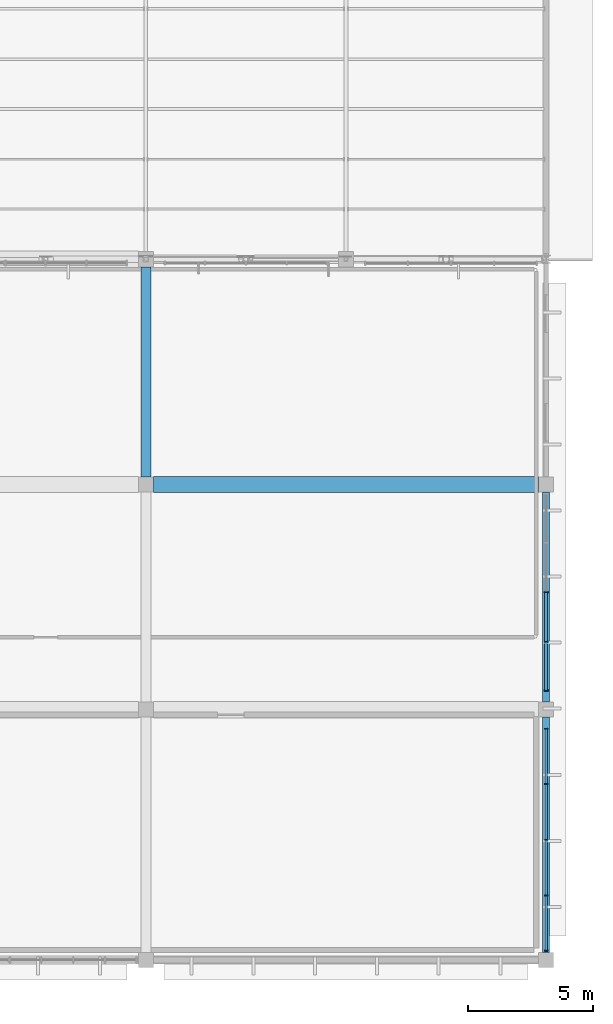
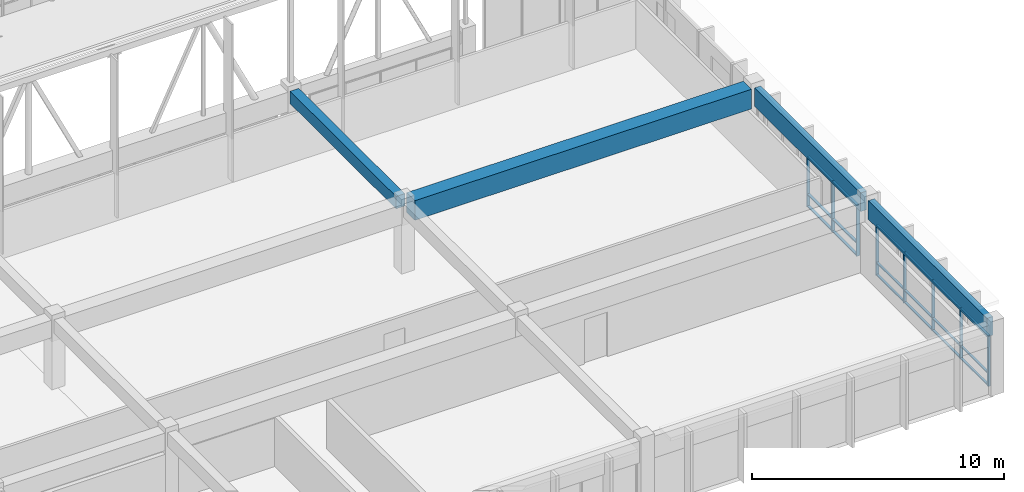
# One storey, part 33 of 155: 26 members, 4 beams, 2 elements without a shape of their own.
"""IFC4 building model written with IfcOpenShell, lengths in metres."""

from ifc_helpers import new_model, si_unit, direction, frame, origin, origin_2d, place, context, subcontext, project, spatial, rectangle, extrude, material, material_profile, profile_set, type_object, element, aggregate, save


model = new_model("IFC4")

# Units and contexts
model_context = context("Model", 3, precision=1e-05, world=origin(), true_north=direction((0.0, 1.0)))
body_context = subcontext(model_context, "Body", "Model", "MODEL_VIEW")
ifc_project = project(units=[si_unit("LENGTHUNIT", "METRE"), si_unit("AREAUNIT", "SQUARE_METRE"), si_unit("VOLUMEUNIT", "CUBIC_METRE"), si_unit("PLANEANGLEUNIT", "RADIAN"), si_unit("MASSUNIT", "GRAM", prefix="KILO")], contexts=[model_context])

# Site, building, storey
site_placement = place(None, origin())
site = spatial("IfcSite", under=ifc_project, at=site_placement, CompositionType="ELEMENT")
building_placement = place(site_placement, origin())
building = spatial("IfcBuilding", under=site, at=building_placement, Name="Larkveld Mobility Hub", CompositionType="ELEMENT")
storey_placement = place(building_placement, frame((0.0, 0.0, 8.39990234375)))
storey = spatial("IfcBuildingStorey", under=building, at=storey_placement, Name="L02", CompositionType="ELEMENT", Elevation=8.39990234375)

# Beams
ifc_material_1 = material(Name="Precast concrete C50/60", Category="concrete")
ifc_material_profile_1 = material_profile(ifc_material_1, rectangle(XDim=0.64990234375, YDim=0.949951171875, at=origin_2d()), Name="PC ITB 650x950")
ifc_profile_set_1 = profile_set([ifc_material_profile_1], Name="Precast concrete C50/60")
beam_type_1 = type_object("IfcBeamType", Name="BM-ITB6595", PredefinedType="T_BEAM", material=ifc_profile_set_1)
beam_1_placement = place(storey_placement, frame((168.300048828125, 19.0, 2.885009765625), z_axis=(1.0, 0.0, 0.0), x_axis=(0.0, 1.0, 0.0)))
element("IfcBeam", 1, at=beam_1_placement, inside=storey, type_object=beam_type_1, Name="Primary E-W Girder L02-0504", PredefinedType="T_BEAM", context=body_context, shape_type="SweptSolid", body=[
    extrude(rectangle(XDim=0.64990234375, YDim=0.949951171875, at=origin_2d()), origin(), (0.0, 0.0, 1.0), 15.39990234375),
])
ifc_material_2 = material(Name="Concrete C40/50", Category="concrete")
ifc_material_profile_2 = material_profile(ifc_material_2, rectangle(XDim=0.39990234375, YDim=0.60009765625, at=origin_2d()), Name="RC BM 400x600")
ifc_profile_set_2 = profile_set([ifc_material_profile_2], Name="Concrete C40/50")
beam_type_2 = type_object("IfcBeamType", Name="BM-RC4060", PredefinedType="BEAM", material=ifc_profile_set_2)
beam_2_placement = place(storey_placement, frame((168.0, 19.300048828125, 3.06005859375), z_axis=(0.0, 1.0, 0.0), x_axis=(-1.0, 0.0, 0.0)))
element("IfcBeam", 2, at=beam_2_placement, inside=storey, type_object=beam_type_2, Name="Primary N-S Girder L02-0689", PredefinedType="BEAM", context=body_context, shape_type="SweptSolid", body=[
    extrude(rectangle(XDim=0.39990234375, YDim=0.60009765625, at=origin_2d()), origin(), (0.0, 0.0, 1.0), 8.39990234375),
])
ifc_material_profile_3 = material_profile(ifc_material_1, rectangle(XDim=0.280029296875, YDim=0.89990234375, at=origin_2d()), Name="PC SP 280x900")
ifc_profile_set_3 = profile_set([ifc_material_profile_3], Name="Precast concrete C50/60")
beam_type_3 = type_object("IfcBeamType", Name="BM-SP2890", PredefinedType="SPANDREL", material=ifc_profile_set_3)
beam_3_placement = place(storey_placement, frame((184.0, 0.300048828125, 2.91015625), z_axis=(0.0, 1.0, 0.0), x_axis=(-1.0, 0.0, 0.0)))
element("IfcBeam", 3, at=beam_3_placement, inside=storey, type_object=beam_type_3, Name="Primary N-S Girder L02-0690", PredefinedType="SPANDREL", context=body_context, shape_type="SweptSolid", body=[
    extrude(rectangle(XDim=0.280029296875, YDim=0.89990234375, at=origin_2d()), origin(), (0.0, 0.0, 1.0), 9.39990234375),
])
beam_4_placement = place(storey_placement, frame((184.0, 10.300048828125, 2.91015625), z_axis=(0.0, 1.0, 0.0), x_axis=(-1.0, 0.0, 0.0)))
element("IfcBeam", 4, at=beam_4_placement, inside=storey, type_object=beam_type_3, Name="Primary N-S Girder L02-0691", PredefinedType="SPANDREL", context=body_context, shape_type="SweptSolid", body=[
    extrude(rectangle(XDim=0.280029296875, YDim=0.89990234375, at=origin_2d()), origin(), (0.0, 0.0, 1.0), 8.39990234375),
])

# Curtain wall, members
ifc_material_3 = material(Name="Anodised aluminium 6063-T6", Category="aluminium")
curtain_wall_type_1 = type_object("IfcCurtainWallType", Name="CW-SYS-01", PredefinedType="NOTDEFINED", material=ifc_material_3)
curtain_wall_1_placement = place(storey_placement, origin())
curtain_wall_1 = element("IfcCurtainWall", 5, at=curtain_wall_1_placement, inside=storey, type_object=curtain_wall_type_1, Name="Service Wing East Curtain Wall L02 CW-109", PredefinedType="NOTDEFINED")
ifc_material_profile_4 = material_profile(ifc_material_3, rectangle(XDim=0.050048828125, YDim=0.14990234375, at=origin_2d()), Name="ALU MULL 50x150")
ifc_profile_set_4 = profile_set([ifc_material_profile_4], Name="Anodised aluminium 6063-T6")
member_type_1 = type_object("IfcMemberType", Name="CW-MUL-01", PredefinedType="MULLION", material=ifc_profile_set_4)
member_1_placement = place(storey_placement, frame((184.0, 10.764892578125, -0.001953125), z_axis=(0.0, 0.0, 1.0), x_axis=(0.0, 1.0, 0.0)))
member_1 = element("IfcMember", 6, at=member_1_placement, type_object=member_type_1, Name="CW01 mullion 1", PredefinedType="MULLION", context=body_context, shape_type="SweptSolid", body=[
    extrude(rectangle(XDim=0.050048828125, YDim=0.14990234375, at=origin_2d()), origin(), (0.0, 0.0, 1.0), 2.462158203125),
])
member_2_placement = place(storey_placement, frame((184.0, 12.718017578125, -0.001953125), z_axis=(0.0, 0.0, 1.0), x_axis=(0.0, 1.0, 0.0)))
member_2 = element("IfcMember", 7, at=member_2_placement, type_object=member_type_1, Name="CW01 mullion 2", PredefinedType="MULLION", context=body_context, shape_type="SweptSolid", body=[
    extrude(rectangle(XDim=0.050048828125, YDim=0.14990234375, at=origin_2d()), origin(), (0.0, 0.0, 1.0), 2.462158203125),
])
member_3_placement = place(storey_placement, frame((184.0, 14.695068359375, -0.001953125), z_axis=(0.0, 0.0, 1.0), x_axis=(0.0, 1.0, 0.0)))
member_3 = element("IfcMember", 8, at=member_3_placement, type_object=member_type_1, Name="CW01 mullion 3", PredefinedType="MULLION", context=body_context, shape_type="SweptSolid", body=[
    extrude(rectangle(XDim=0.050048828125, YDim=0.14990234375, at=origin_2d()), origin(), (0.0, 0.0, 1.0), 2.462158203125),
])

curtain_wall_type_2 = type_object("IfcCurtainWallType", Name="CW-SYS-12", PredefinedType="NOTDEFINED", material=ifc_material_3)
curtain_wall_2_placement = place(storey_placement, origin())
curtain_wall_2 = element("IfcCurtainWall", 9, at=curtain_wall_2_placement, inside=storey, type_object=curtain_wall_type_2, Name="Service Wing East Curtain Wall L02 CW-108", PredefinedType="NOTDEFINED")
ifc_material_profile_5 = material_profile(ifc_material_3, rectangle(XDim=0.050048828125, YDim=0.1298828125, at=origin_2d()), Name="ALU MULL 50x130")
ifc_profile_set_5 = profile_set([ifc_material_profile_5], Name="Anodised aluminium 6063-T6")
member_type_2 = type_object("IfcMemberType", Name="CW-MUL-04", PredefinedType="MULLION", material=ifc_profile_set_5)
member_4_placement = place(storey_placement, frame((184.0, 0.375, -0.001953125), z_axis=(0.0, 0.0, 1.0), x_axis=(0.0, 1.0, 0.0)))
member_4 = element("IfcMember", 10, at=member_4_placement, type_object=member_type_2, Name="CW12 mullion 1", PredefinedType="MULLION", context=body_context, shape_type="SweptSolid", body=[
    extrude(rectangle(XDim=0.050048828125, YDim=0.1298828125, at=origin_2d()), origin(), (0.0, 0.0, 1.0), 2.462158203125),
])
member_5_placement = place(storey_placement, frame((184.0, 2.577880859375, -0.001953125), z_axis=(0.0, 0.0, 1.0), x_axis=(0.0, 1.0, 0.0)))
member_5 = element("IfcMember", 11, at=member_5_placement, type_object=member_type_2, Name="CW12 mullion 2", PredefinedType="MULLION", context=body_context, shape_type="SweptSolid", body=[
    extrude(rectangle(XDim=0.050048828125, YDim=0.1298828125, at=origin_2d()), origin(), (0.0, 0.0, 1.0), 2.462158203125),
])
member_6_placement = place(storey_placement, frame((184.0, 4.804931640625, -0.001953125), z_axis=(0.0, 0.0, 1.0), x_axis=(0.0, 1.0, 0.0)))
member_6 = element("IfcMember", 12, at=member_6_placement, type_object=member_type_2, Name="CW12 mullion 3", PredefinedType="MULLION", context=body_context, shape_type="SweptSolid", body=[
    extrude(rectangle(XDim=0.050048828125, YDim=0.1298828125, at=origin_2d()), origin(), (0.0, 0.0, 1.0), 2.462158203125),
])
member_7_placement = place(storey_placement, frame((184.0, 7.031982421875, -0.001953125), z_axis=(0.0, 0.0, 1.0), x_axis=(0.0, 1.0, 0.0)))
member_7 = element("IfcMember", 13, at=member_7_placement, type_object=member_type_2, Name="CW12 mullion 4", PredefinedType="MULLION", context=body_context, shape_type="SweptSolid", body=[
    extrude(rectangle(XDim=0.050048828125, YDim=0.1298828125, at=origin_2d()), origin(), (0.0, 0.0, 1.0), 2.462158203125),
])
member_8_placement = place(storey_placement, frame((184.0, 9.235107421875, -0.001953125), z_axis=(0.0, 0.0, 1.0), x_axis=(0.0, 1.0, 0.0)))
member_8 = element("IfcMember", 14, at=member_8_placement, type_object=member_type_2, Name="CW12 mullion 5", PredefinedType="MULLION", context=body_context, shape_type="SweptSolid", body=[
    extrude(rectangle(XDim=0.050048828125, YDim=0.1298828125, at=origin_2d()), origin(), (0.0, 0.0, 1.0), 2.462158203125),
])

# Member
ifc_material_profile_6 = material_profile(ifc_material_3, rectangle(XDim=0.1201171875, YDim=0.050048828125, at=origin_2d()), Name="ALU TRAN 50x120")
ifc_profile_set_6 = profile_set([ifc_material_profile_6], Name="Anodised aluminium 6063-T6")
member_type_3 = type_object("IfcMemberType", Name="CW-TRN-01", PredefinedType="USERDEFINED", material=ifc_profile_set_6)
member_9_placement = place(storey_placement, frame((184.0, 10.77490234375, 0.030029296875), z_axis=(0.0, 1.0, 0.0), x_axis=(-1.0, 0.0, 0.0)))
member_9 = element("IfcMember", 15, at=member_9_placement, type_object=member_type_3, Name="CW01 transom 1.1", ObjectType="TRANSOM", PredefinedType="USERDEFINED", context=body_context, shape_type="SweptSolid", body=[
    extrude(rectangle(XDim=0.1201171875, YDim=0.050048828125, at=origin_2d()), origin(), (0.0, 0.0, 1.0), 1.927978515625),
])

member_10_placement = place(storey_placement, frame((184.0, 10.77490234375, 0.614013671875), z_axis=(0.0, 1.0, 0.0), x_axis=(-1.0, 0.0, 0.0)))
member_10 = element("IfcMember", 16, at=member_10_placement, type_object=member_type_3, Name="CW01 transom 1.2", ObjectType="TRANSOM", PredefinedType="USERDEFINED", context=body_context, shape_type="SweptSolid", body=[
    extrude(rectangle(XDim=0.1201171875, YDim=0.050048828125, at=origin_2d()), origin(), (0.0, 0.0, 1.0), 1.927978515625),
])

member_11_placement = place(storey_placement, frame((184.0, 10.77490234375, 2.427978515625), z_axis=(0.0, 1.0, 0.0), x_axis=(-1.0, 0.0, 0.0)))
member_11 = element("IfcMember", 17, at=member_11_placement, type_object=member_type_3, Name="CW01 transom 1.3", ObjectType="TRANSOM", PredefinedType="USERDEFINED", context=body_context, shape_type="SweptSolid", body=[
    extrude(rectangle(XDim=0.1201171875, YDim=0.050048828125, at=origin_2d()), origin(), (0.0, 0.0, 1.0), 1.927978515625),
])

member_12_placement = place(storey_placement, frame((184.0, 12.73193359375, 0.030029296875), z_axis=(0.0, 1.0, 0.0), x_axis=(-1.0, 0.0, 0.0)))
member_12 = element("IfcMember", 18, at=member_12_placement, type_object=member_type_3, Name="CW01 transom 2.1", ObjectType="TRANSOM", PredefinedType="USERDEFINED", context=body_context, shape_type="SweptSolid", body=[
    extrude(rectangle(XDim=0.1201171875, YDim=0.050048828125, at=origin_2d()), origin(), (0.0, 0.0, 1.0), 1.947998046875),
])

member_13_placement = place(storey_placement, frame((184.0, 12.73193359375, 0.614013671875), z_axis=(0.0, 1.0, 0.0), x_axis=(-1.0, 0.0, 0.0)))
member_13 = element("IfcMember", 19, at=member_13_placement, type_object=member_type_3, Name="CW01 transom 2.2", ObjectType="TRANSOM", PredefinedType="USERDEFINED", context=body_context, shape_type="SweptSolid", body=[
    extrude(rectangle(XDim=0.1201171875, YDim=0.050048828125, at=origin_2d()), origin(), (0.0, 0.0, 1.0), 1.947998046875),
])

member_14_placement = place(storey_placement, frame((184.0, 12.73193359375, 2.427978515625), z_axis=(0.0, 1.0, 0.0), x_axis=(-1.0, 0.0, 0.0)))
member_14 = element("IfcMember", 20, at=member_14_placement, type_object=member_type_3, Name="CW01 transom 2.3", ObjectType="TRANSOM", PredefinedType="USERDEFINED", context=body_context, shape_type="SweptSolid", body=[
    extrude(rectangle(XDim=0.1201171875, YDim=0.050048828125, at=origin_2d()), origin(), (0.0, 0.0, 1.0), 1.947998046875),
])

aggregate(curtain_wall_1, [member_1, member_2, member_3, member_9, member_10, member_11, member_12, member_13, member_14])

ifc_material_profile_7 = material_profile(ifc_material_3, rectangle(XDim=0.10009765625, YDim=0.050048828125, at=origin_2d()), Name="ALU TRAN 50x100")
ifc_profile_set_7 = profile_set([ifc_material_profile_7], Name="Anodised aluminium 6063-T6")
member_type_4 = type_object("IfcMemberType", Name="CW-TRN-04", PredefinedType="USERDEFINED", material=ifc_profile_set_7)
member_15_placement = place(storey_placement, frame((184.0, 0.385009765625, 0.030029296875), z_axis=(0.0, 1.0, 0.0), x_axis=(-1.0, 0.0, 0.0)))
member_15 = element("IfcMember", 21, at=member_15_placement, type_object=member_type_4, Name="CW12 transom 1.1", ObjectType="TRANSOM", PredefinedType="USERDEFINED", context=body_context, shape_type="SweptSolid", body=[
    extrude(rectangle(XDim=0.10009765625, YDim=0.050048828125, at=origin_2d()), origin(), (0.0, 0.0, 1.0), 2.177001953125),
])

member_16_placement = place(storey_placement, frame((184.0, 0.385009765625, 0.614013671875), z_axis=(0.0, 1.0, 0.0), x_axis=(-1.0, 0.0, 0.0)))
member_16 = element("IfcMember", 22, at=member_16_placement, type_object=member_type_4, Name="CW12 transom 1.2", ObjectType="TRANSOM", PredefinedType="USERDEFINED", context=body_context, shape_type="SweptSolid", body=[
    extrude(rectangle(XDim=0.10009765625, YDim=0.050048828125, at=origin_2d()), origin(), (0.0, 0.0, 1.0), 2.177001953125),
])

member_17_placement = place(storey_placement, frame((184.0, 0.385009765625, 2.427978515625), z_axis=(0.0, 1.0, 0.0), x_axis=(-1.0, 0.0, 0.0)))
member_17 = element("IfcMember", 23, at=member_17_placement, type_object=member_type_4, Name="CW12 transom 1.3", ObjectType="TRANSOM", PredefinedType="USERDEFINED", context=body_context, shape_type="SweptSolid", body=[
    extrude(rectangle(XDim=0.10009765625, YDim=0.050048828125, at=origin_2d()), origin(), (0.0, 0.0, 1.0), 2.177001953125),
])

member_18_placement = place(storey_placement, frame((184.0, 2.593017578125, 0.030029296875), z_axis=(0.0, 1.0, 0.0), x_axis=(-1.0, 0.0, 0.0)))
member_18 = element("IfcMember", 24, at=member_18_placement, type_object=member_type_4, Name="CW12 transom 2.1", ObjectType="TRANSOM", PredefinedType="USERDEFINED", context=body_context, shape_type="SweptSolid", body=[
    extrude(rectangle(XDim=0.10009765625, YDim=0.050048828125, at=origin_2d()), origin(), (0.0, 0.0, 1.0), 2.197021484375),
])

member_19_placement = place(storey_placement, frame((184.0, 2.593017578125, 0.614013671875), z_axis=(0.0, 1.0, 0.0), x_axis=(-1.0, 0.0, 0.0)))
member_19 = element("IfcMember", 25, at=member_19_placement, type_object=member_type_4, Name="CW12 transom 2.2", ObjectType="TRANSOM", PredefinedType="USERDEFINED", context=body_context, shape_type="SweptSolid", body=[
    extrude(rectangle(XDim=0.10009765625, YDim=0.050048828125, at=origin_2d()), origin(), (0.0, 0.0, 1.0), 2.197021484375),
])

member_20_placement = place(storey_placement, frame((184.0, 2.593017578125, 2.427978515625), z_axis=(0.0, 1.0, 0.0), x_axis=(-1.0, 0.0, 0.0)))
member_20 = element("IfcMember", 26, at=member_20_placement, type_object=member_type_4, Name="CW12 transom 2.3", ObjectType="TRANSOM", PredefinedType="USERDEFINED", context=body_context, shape_type="SweptSolid", body=[
    extrude(rectangle(XDim=0.10009765625, YDim=0.050048828125, at=origin_2d()), origin(), (0.0, 0.0, 1.0), 2.197021484375),
])

member_21_placement = place(storey_placement, frame((184.0, 4.820068359375, 0.030029296875), z_axis=(0.0, 1.0, 0.0), x_axis=(-1.0, 0.0, 0.0)))
member_21 = element("IfcMember", 27, at=member_21_placement, type_object=member_type_4, Name="CW12 transom 3.1", ObjectType="TRANSOM", PredefinedType="USERDEFINED", context=body_context, shape_type="SweptSolid", body=[
    extrude(rectangle(XDim=0.10009765625, YDim=0.050048828125, at=origin_2d()), origin(), (0.0, 0.0, 1.0), 2.197998046875),
])

member_22_placement = place(storey_placement, frame((184.0, 4.820068359375, 0.614013671875), z_axis=(0.0, 1.0, 0.0), x_axis=(-1.0, 0.0, 0.0)))
member_22 = element("IfcMember", 28, at=member_22_placement, type_object=member_type_4, Name="CW12 transom 3.2", ObjectType="TRANSOM", PredefinedType="USERDEFINED", context=body_context, shape_type="SweptSolid", body=[
    extrude(rectangle(XDim=0.10009765625, YDim=0.050048828125, at=origin_2d()), origin(), (0.0, 0.0, 1.0), 2.197998046875),
])

member_23_placement = place(storey_placement, frame((184.0, 4.820068359375, 2.427978515625), z_axis=(0.0, 1.0, 0.0), x_axis=(-1.0, 0.0, 0.0)))
member_23 = element("IfcMember", 29, at=member_23_placement, type_object=member_type_4, Name="CW12 transom 3.3", ObjectType="TRANSOM", PredefinedType="USERDEFINED", context=body_context, shape_type="SweptSolid", body=[
    extrude(rectangle(XDim=0.10009765625, YDim=0.050048828125, at=origin_2d()), origin(), (0.0, 0.0, 1.0), 2.197998046875),
])

member_24_placement = place(storey_placement, frame((184.0, 7.047119140625, 0.030029296875), z_axis=(0.0, 1.0, 0.0), x_axis=(-1.0, 0.0, 0.0)))
member_24 = element("IfcMember", 30, at=member_24_placement, type_object=member_type_4, Name="CW12 transom 4.1", ObjectType="TRANSOM", PredefinedType="USERDEFINED", context=body_context, shape_type="SweptSolid", body=[
    extrude(rectangle(XDim=0.10009765625, YDim=0.050048828125, at=origin_2d()), origin(), (0.0, 0.0, 1.0), 2.177978515625),
])

member_25_placement = place(storey_placement, frame((184.0, 7.047119140625, 0.614013671875), z_axis=(0.0, 1.0, 0.0), x_axis=(-1.0, 0.0, 0.0)))
member_25 = element("IfcMember", 31, at=member_25_placement, type_object=member_type_4, Name="CW12 transom 4.2", ObjectType="TRANSOM", PredefinedType="USERDEFINED", context=body_context, shape_type="SweptSolid", body=[
    extrude(rectangle(XDim=0.10009765625, YDim=0.050048828125, at=origin_2d()), origin(), (0.0, 0.0, 1.0), 2.177978515625),
])

member_26_placement = place(storey_placement, frame((184.0, 7.047119140625, 2.427978515625), z_axis=(0.0, 1.0, 0.0), x_axis=(-1.0, 0.0, 0.0)))
member_26 = element("IfcMember", 32, at=member_26_placement, type_object=member_type_4, Name="CW12 transom 4.3", ObjectType="TRANSOM", PredefinedType="USERDEFINED", context=body_context, shape_type="SweptSolid", body=[
    extrude(rectangle(XDim=0.10009765625, YDim=0.050048828125, at=origin_2d()), origin(), (0.0, 0.0, 1.0), 2.177978515625),
])

aggregate(curtain_wall_2, [member_4, member_5, member_6, member_7, member_8, member_15, member_16, member_17, member_18, member_19, member_20, member_21, member_22, member_23, member_24, member_25, member_26])

save(model, "model.ifc")
